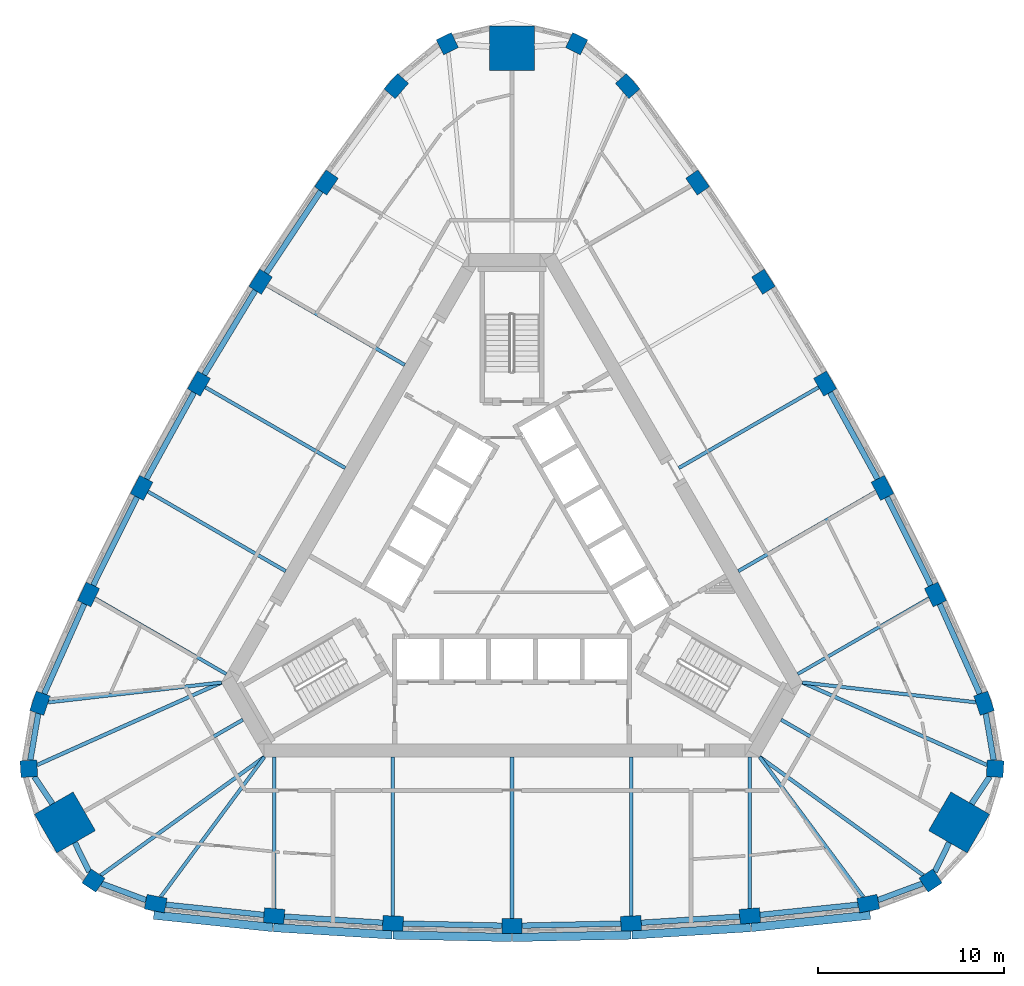
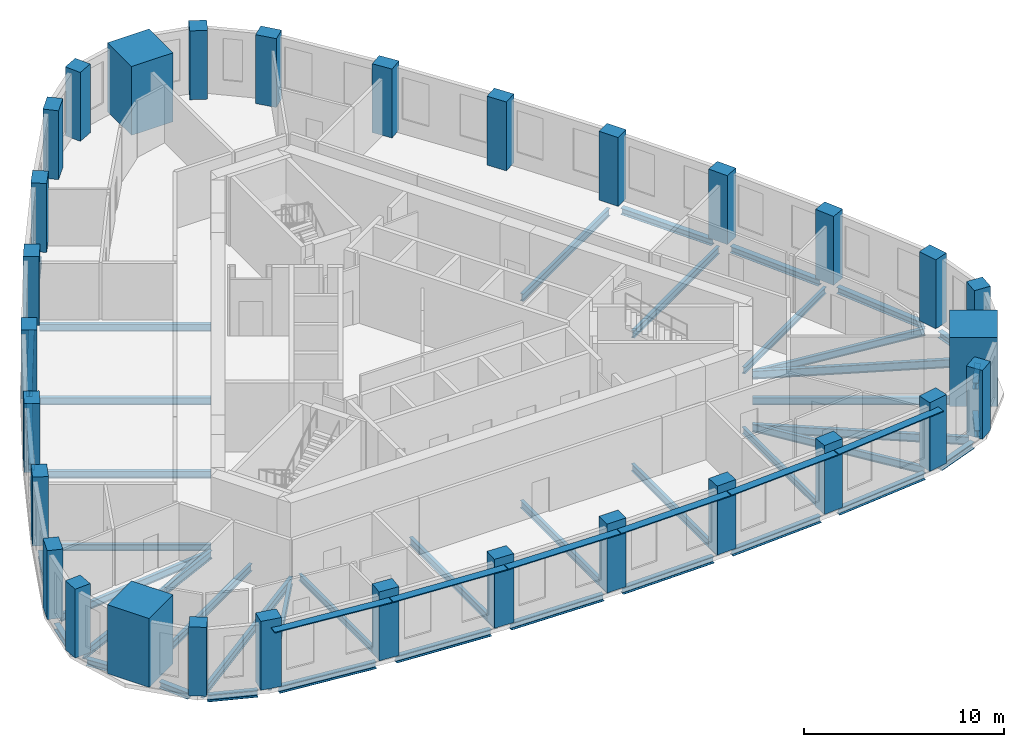
# One storey, part 1 of 10: 44 beams, 30 columns, 6 members.
"""IFC4 building model written with IfcOpenShell, lengths in metres."""

from ifc_helpers import new_model, si_unit, direction, frame, origin, origin_2d, place, context, subcontext, project, spatial, rectangle, i_section, extrude, material, material_profile, profile_set, type_object, element, save


model = new_model("IFC4")

# Units and contexts
model_context = context("Model", 3, precision=1e-05, world=origin(), true_north=direction((0.0, 1.0)))
body_context = subcontext(model_context, "Body", "Model", "MODEL_VIEW")
ifc_project = project(units=[si_unit("LENGTHUNIT", "METRE"), si_unit("AREAUNIT", "SQUARE_METRE"), si_unit("VOLUMEUNIT", "CUBIC_METRE"), si_unit("PLANEANGLEUNIT", "RADIAN"), si_unit("MASSUNIT", "GRAM", prefix="KILO")], contexts=[model_context])

# Site, building, storey
site_placement = place(None, origin())
site = spatial("IfcSite", under=ifc_project, at=site_placement, CompositionType="ELEMENT")
building_placement = place(site_placement, origin())
building = spatial("IfcBuilding", under=site, at=building_placement, Name="Mestral Congress Tower", CompositionType="ELEMENT")
storey_placement = place(building_placement, frame((0.0, 0.0, 243.60009765625)))
storey = spatial("IfcBuildingStorey", under=building, at=storey_placement, Name="L57", CompositionType="ELEMENT", Elevation=243.60009765625)

# Columns
ifc_material_1 = material(Name="Concrete C60/75", Category="concrete")
ifc_material_profile_1 = material_profile(ifc_material_1, rectangle(XDim=1.10009765625, YDim=0.800048828125, at=origin_2d()), Name="RC 1100x800")
ifc_profile_set_1 = profile_set([ifc_material_profile_1], Name="Concrete C60/75")
column_type_1 = type_object("IfcColumnType", Name="Column RC 1100x800 C60/75", PredefinedType="COLUMN", material=ifc_profile_set_1)
for number, where, z_axis, x_axis, name in (
    (1, (-19.150390625, -18.23681640625, 0.0), (0.0, 0.0, 1.0), (0.981324571854, -0.192359259395, 0.0), "COL-L57-C4-S00"),
    (2, (-12.785400390625, -18.899658203125, 0.0), (0.0, 0.0, 1.0), (0.996556680667, -0.082914306473, 0.0), "COL-L57-C4-S01"),
    (3, (-6.398193359375, -19.2978515625, 0.0), (0.0, 0.0, 1.0), (0.999138835542, -0.041492015025, 0.0), "COL-L57-C4-S02"),
    (4, (0.0, -19.4306640625, 0.0), (0.0, 0.0, 1.0), (1.0, 0.0, 0.0), "COL-L57-C4-S03"),
    (5, (6.398193359375, -19.2978515625, 0.0), (0.0, 0.0, 1.0), (0.999138835542, 0.041492015025, 0.0), "COL-L57-C4-S04"),
    (6, (12.785400390625, -18.899658203125, 0.0), (0.0, 0.0, 1.0), (0.996556680667, 0.082914306473, 0.0), "COL-L57-C4-S05"),
    (7, (19.150390625, -18.23681640625, 0.0), (0.0, 0.0, 1.0), (0.981324571854, 0.192359259395, 0.0), "COL-L57-C4-S06"),
    (8, (25.368896484375, -7.46630859375, 0.0), (0.0, 0.0, 1.0), (-0.324074280638, 0.946031638281, 0.0), "COL-L57-C4-E00"),
    (9, (22.76025390625, -1.62255859375, 0.0), (0.0, 0.0, 1.0), (-0.426472444591, 0.904500555005, 0.0), "COL-L57-C4-E01"),
    (10, (19.91162109375, 4.10791015625, 0.0), (0.0, 0.0, 1.0), (-0.463636278705, 0.886025621, 0.0), "COL-L57-C4-E02"),
    (11, (16.827392578125, 9.71533203125, 0.0), (0.0, 0.0, 1.0), (-0.5, 0.866025403784, 0.0), "COL-L57-C4-E03"),
    (12, (13.51318359375, 15.18994140625, 0.0), (0.0, 0.0, 1.0), (-0.535502556837, 0.844533605975, 0.0), "COL-L57-C4-E04"),
    (13, (9.974853515625, 20.522216796875, 0.0), (0.0, 0.0, 1.0), (-0.570084236076, 0.821586248532, 0.0), "COL-L57-C4-E05"),
    (14, (6.218505859375, 25.703125, 0.0), (0.0, 0.0, 1.0), (-0.657250291216, 0.753672378886, 0.0), "COL-L57-C4-E06"),
    (15, (-6.218505859375, 25.703125, 0.0), (0.0, 0.0, 1.0), (-0.657250291216, -0.753672378886, 0.0), "COL-L57-C4-W00"),
    (16, (-9.974853515625, 20.522216796875, 0.0), (0.0, 0.0, 1.0), (-0.570084236076, -0.821586248532, 0.0), "COL-L57-C4-W01"),
    (17, (-13.51318359375, 15.18994140625, 0.0), (0.0, 0.0, 1.0), (-0.535502556837, -0.844533605975, 0.0), "COL-L57-C4-W02"),
    (18, (-16.827392578125, 9.71533203125, 0.0), (0.0, 0.0, 1.0), (-0.5, -0.866025403784, 0.0), "COL-L57-C4-W03"),
    (19, (-19.91162109375, 4.10791015625, 0.0), (0.0, 0.0, 1.0), (-0.463636278705, -0.886025621, 0.0), "COL-L57-C4-W04"),
    (20, (-22.76025390625, -1.62255859375, 0.0), (0.0, 0.0, 1.0), (-0.426472444591, -0.904500555005, 0.0), "COL-L57-C4-W05"),
    (21, (-25.368896484375, -7.46630859375, 0.0), (0.0, 0.0, 1.0), (-0.324074280638, -0.946031638281, 0.0), "COL-L57-C4-W06"),
):
    element("IfcColumn", number, at=place(storey_placement, frame(where, z_axis=z_axis, x_axis=x_axis)), inside=storey, type_object=column_type_1, Name=name, PredefinedType="COLUMN", context=body_context, shape_type="SweptSolid", body=[
        extrude(rectangle(XDim=1.10009765625, YDim=0.800048828125, at=origin_2d()), origin(), (0.0, 0.0, 1.0), 4.199951171875),
    ])
ifc_material_profile_2 = material_profile(ifc_material_1, rectangle(XDim=0.89990234375, YDim=0.89990234375, at=origin_2d()), Name="RC 900x900")
ifc_profile_set_2 = profile_set([ifc_material_profile_2], Name="Concrete C60/75")
column_type_2 = type_object("IfcColumnType", Name="Column RC 900x900 C60/75", PredefinedType="COLUMN", material=ifc_profile_set_2)
for number, where, z_axis, x_axis, name in (
    (22, (22.494384765625, -16.99658203125, 0.0), (0.0, 0.0, 1.0), (0.833238868178, 0.552913183563, 0.0), "COL-L57-C4-SE1"),
    (23, (25.966552734375, -10.982421875, 0.0), (0.0, 0.0, 1.0), (0.062217428964, 0.998062619044, 0.0), "COL-L57-C4-SE3"),
    (24, (3.47216796875, 27.97900390625, 0.0), (0.0, 0.0, 1.0), (-0.895456297142, 0.445149435481, 0.0), "COL-L57-C4-N1"),
    (25, (-3.47216796875, 27.97900390625, 0.0), (0.0, 0.0, 1.0), (-0.895456297142, -0.445149435481, 0.0), "COL-L57-C4-N3"),
    (26, (-25.966552734375, -10.982421875, 0.0), (0.0, 0.0, 1.0), (0.062217428964, -0.998062619044, 0.0), "COL-L57-C4-SW1"),
    (27, (-22.494384765625, -16.99658203125, 0.0), (0.0, 0.0, 1.0), (0.833238868178, -0.552913183563, 0.0), "COL-L57-C4-SW3"),
):
    element("IfcColumn", number, at=place(storey_placement, frame(where, z_axis=z_axis, x_axis=x_axis)), inside=storey, type_object=column_type_2, Name=name, PredefinedType="COLUMN", context=body_context, shape_type="SweptSolid", body=[
        extrude(rectangle(XDim=0.89990234375, YDim=0.89990234375, at=origin_2d()), origin(), (0.0, 0.0, 1.0), 4.199951171875),
    ])
ifc_material_2 = material(Name="Concrete C70/85", Category="concrete")
ifc_material_profile_3 = material_profile(ifc_material_2, rectangle(XDim=2.39990234375, YDim=2.39990234375, at=origin_2d()), Name="RC 2400x2400")
ifc_profile_set_3 = profile_set([ifc_material_profile_3], Name="Concrete C70/85")
column_type_3 = type_object("IfcColumnType", Name="Mega column RC 2400x2400 C70/85", PredefinedType="COLUMN", material=ifc_profile_set_3)
for number, where, z_axis, x_axis, name in (
    (28, (24.02734375, -13.872314453125, 0.0), (0.0, 0.0, 1.0), (0.866025403784, -0.5, 0.0), "COL-L57-PY4-SE"),
    (29, (0.0, 27.744384765625, 0.0), (0.0, 0.0, 1.0), (0.0, 1.0, 0.0), "COL-L57-PY4-N"),
    (30, (-24.02734375, -13.872314453125, 0.0), (0.0, 0.0, 1.0), (-0.866025403784, -0.5, 0.0), "COL-L57-PY4-SW"),
):
    element("IfcColumn", number, at=place(storey_placement, frame(where, z_axis=z_axis, x_axis=x_axis)), inside=storey, type_object=column_type_3, Name=name, PredefinedType="COLUMN", context=body_context, shape_type="SweptSolid", body=[
        extrude(rectangle(XDim=2.39990234375, YDim=2.39990234375, at=origin_2d()), origin(), (0.0, 0.0, 1.0), 4.199951171875),
    ])

# Members
ifc_material_3 = material(Name="Glazed ceramic", Category="masonry")
ifc_material_profile_4 = material_profile(ifc_material_3, rectangle(XDim=0.449951171875, YDim=0.06005859375, at=origin_2d()), Name="Ceramic blade 450 x 60")
ifc_profile_set_4 = profile_set([ifc_material_profile_4], Name="Glazed ceramic")
member_type = type_object("IfcMemberType", Name="Facade sunshade blade 450 x 60", PredefinedType="USERDEFINED", material=ifc_profile_set_4)
member_1_placement = place(storey_placement, frame((-19.251708984375, -18.8544921875, 3.679931640625), z_axis=(0.994617919471, -0.103610782581, 0.0), x_axis=(0.103610782581, 0.994617919471, 0.0)))
element("IfcMember", 31, at=member_1_placement, inside=storey, type_object=member_type, Name="Sunshade F0-00", ObjectType="SUNSHADE", PredefinedType="USERDEFINED", context=body_context, shape_type="SweptSolid", body=[
    extrude(rectangle(XDim=0.449951171875, YDim=0.06005859375, at=origin_2d()), origin(), (0.0, 0.0, 1.0), 6.42578125),
])
member_2_placement = place(storey_placement, frame((-12.8134765625, -19.524169921875, 3.679931640625), z_axis=(0.99806373271, -0.062199561482, 0.0), x_axis=(0.062199561482, 0.99806373271, 0.0)))
element("IfcMember", 32, at=member_2_placement, inside=storey, type_object=member_type, Name="Sunshade F0-01", ObjectType="SUNSHADE", PredefinedType="USERDEFINED", context=body_context, shape_type="SweptSolid", body=[
    extrude(rectangle(XDim=0.449951171875, YDim=0.06005859375, at=origin_2d()), origin(), (0.0, 0.0, 1.0), 6.37841796875),
])
for number, where, z_axis, x_axis, name in (
    (33, (-6.400390625, -19.9228515625, 3.679931640625), (0.99978476383, -0.0207467109, 0.0), (0.0207467109, 0.99978476383, 0.0), "Sunshade F0-02"),
    (34, (0.023681640625, -20.05517578125, 3.679931640625), (0.99978476383, 0.0207467109, 0.0), (-0.0207467109, 0.99978476383, 0.0), "Sunshade F0-03"),
):
    element("IfcMember", number, at=place(storey_placement, frame(where, z_axis=z_axis, x_axis=x_axis)), inside=storey, type_object=member_type, Name=name, ObjectType="SUNSHADE", PredefinedType="USERDEFINED", context=body_context, shape_type="SweptSolid", body=[
        extrude(rectangle(XDim=0.449951171875, YDim=0.06005859375, at=origin_2d()), origin(), (0.0, 0.0, 1.0), 6.378173828125),
    ])
member_3_placement = place(storey_placement, frame((6.447509765625, -19.9208984375, 3.679931640625), z_axis=(0.99806373271, 0.062199561482, 0.0), x_axis=(-0.062199561482, 0.99806373271, 0.0)))
element("IfcMember", 35, at=member_3_placement, inside=storey, type_object=member_type, Name="Sunshade F0-04", ObjectType="SUNSHADE", PredefinedType="USERDEFINED", context=body_context, shape_type="SweptSolid", body=[
    extrude(rectangle(XDim=0.449951171875, YDim=0.06005859375, at=origin_2d()), origin(), (0.0, 0.0, 1.0), 6.37841796875),
])
member_4_placement = place(storey_placement, frame((12.860595703125, -19.520263671875, 3.679931640625), z_axis=(0.994617919471, 0.103610782581, 0.0), x_axis=(-0.103610782581, 0.994617919471, 0.0)))
element("IfcMember", 36, at=member_4_placement, inside=storey, type_object=member_type, Name="Sunshade F0-05", ObjectType="SUNSHADE", PredefinedType="USERDEFINED", context=body_context, shape_type="SweptSolid", body=[
    extrude(rectangle(XDim=0.449951171875, YDim=0.06005859375, at=origin_2d()), origin(), (0.0, 0.0, 1.0), 6.42578125),
])

# Beams
ifc_material_4 = material(Name="Steel S355", Category="steel")
ifc_material_profile_5 = material_profile(ifc_material_4, i_section(OverallWidth=0.179931640625, OverallDepth=0.39990234375, WebThickness=0.008544921875, FlangeThickness=0.013427734375, FilletRadius=0.02099609375, at=origin_2d()), Name="IPE 400")
ifc_profile_set_5 = profile_set([ifc_material_profile_5], Name="Steel S355")
beam_type_1 = type_object("IfcBeamType", Name="Floor beam IPE 400 S355", PredefinedType="BEAM", material=ifc_profile_set_5)
for number, where, z_axis, x_axis, name in (
    (37, (-12.785400390625, -18.498291015625, -0.4501953125), (0.0, 1.0, 0.0), (-1.0, 0.0, 0.0), "BM-L57-RB4-S01"),
    (38, (12.785400390625, -18.498291015625, -0.4501953125), (0.0, 1.0, 0.0), (-1.0, 0.0, 0.0), "BM-L57-RB4-S05"),
):
    element("IfcBeam", number, at=place(storey_placement, frame(where, z_axis=z_axis, x_axis=x_axis)), inside=storey, type_object=beam_type_1, Name=name, PredefinedType="BEAM", context=body_context, shape_type="SweptSolid", body=[
        extrude(i_section(OverallWidth=0.179931640625, OverallDepth=0.39990234375, WebThickness=0.008544921875, FlangeThickness=0.013427734375, FilletRadius=0.02099609375, at=origin_2d()), origin(), (0.0, 0.0, 1.0), 8.148193359375),
    ])
for number, where, z_axis, x_axis, name in (
    (39, (22.41259765625, -1.8232421875, -0.4501953125), (-0.866021929094, -0.500006018292, 0.0), (0.500006018292, -0.866021929094, 0.0), "BM-L57-RB4-E01"),
    (40, (-22.41259765625, -1.8232421875, -0.4501953125), (0.866021929094, -0.500006018292, 0.0), (0.500006018292, 0.866021929094, 0.0), "BM-L57-RB4-W05"),
):
    element("IfcBeam", number, at=place(storey_placement, frame(where, z_axis=z_axis, x_axis=x_axis)), inside=storey, type_object=beam_type_1, Name=name, PredefinedType="BEAM", context=body_context, shape_type="SweptSolid", body=[
        extrude(i_section(OverallWidth=0.179931640625, OverallDepth=0.39990234375, WebThickness=0.008544921875, FlangeThickness=0.013427734375, FilletRadius=0.02099609375, at=origin_2d()), origin(), (0.0, 0.0, 1.0), 8.1484375),
    ])
ifc_material_profile_6 = material_profile(ifc_material_4, i_section(OverallWidth=0.18994140625, OverallDepth=0.449951171875, WebThickness=0.009521484375, FlangeThickness=0.0146484375, FilletRadius=0.02099609375, at=origin_2d()), Name="IPE 450")
ifc_profile_set_6 = profile_set([ifc_material_profile_6], Name="Steel S355")
beam_type_2 = type_object("IfcBeamType", Name="Floor beam IPE 450 S355", PredefinedType="BEAM", material=ifc_profile_set_6)
beam_1_placement = place(storey_placement, frame((-18.88671875, -17.880859375, -0.47509765625), z_axis=(0.595263059859, 0.803530888994, 0.0), x_axis=(-0.803530888994, 0.595263059859, 0.0)))
element("IfcBeam", 41, at=beam_1_placement, inside=storey, type_object=beam_type_2, Name="BM-L57-RB4-S00", PredefinedType="BEAM", context=body_context, shape_type="SweptSolid", body=[
    extrude(i_section(OverallWidth=0.18994140625, OverallDepth=0.449951171875, WebThickness=0.009521484375, FlangeThickness=0.0146484375, FilletRadius=0.02099609375, at=origin_2d()), origin(), (0.0, 0.0, 1.0), 9.3720703125),
])
beam_2_placement = place(storey_placement, frame((-6.398193359375, -18.8974609375, -0.47509765625), z_axis=(0.0, 1.0, 0.0), x_axis=(-1.0, 0.0, 0.0)))
element("IfcBeam", 42, at=beam_2_placement, inside=storey, type_object=beam_type_2, Name="BM-L57-RB4-S02", PredefinedType="BEAM", context=body_context, shape_type="SweptSolid", body=[
    extrude(i_section(OverallWidth=0.18994140625, OverallDepth=0.449951171875, WebThickness=0.009521484375, FlangeThickness=0.0146484375, FilletRadius=0.02099609375, at=origin_2d()), origin(), (0.0, 0.0, 1.0), 8.54736328125),
])
beam_3_placement = place(storey_placement, frame((0.0, -19.030517578125, -0.47509765625), z_axis=(0.0, 1.0, 0.0), x_axis=(-1.0, 0.0, 0.0)))
element("IfcBeam", 43, at=beam_3_placement, inside=storey, type_object=beam_type_2, Name="BM-L57-RB4-S03", PredefinedType="BEAM", context=body_context, shape_type="SweptSolid", body=[
    extrude(i_section(OverallWidth=0.18994140625, OverallDepth=0.449951171875, WebThickness=0.009521484375, FlangeThickness=0.0146484375, FilletRadius=0.02099609375, at=origin_2d()), origin(), (0.0, 0.0, 1.0), 8.680419921875),
])
beam_4_placement = place(storey_placement, frame((6.398193359375, -18.8974609375, -0.47509765625), z_axis=(0.0, 1.0, 0.0), x_axis=(-1.0, 0.0, 0.0)))
element("IfcBeam", 44, at=beam_4_placement, inside=storey, type_object=beam_type_2, Name="BM-L57-RB4-S04", PredefinedType="BEAM", context=body_context, shape_type="SweptSolid", body=[
    extrude(i_section(OverallWidth=0.18994140625, OverallDepth=0.449951171875, WebThickness=0.009521484375, FlangeThickness=0.0146484375, FilletRadius=0.02099609375, at=origin_2d()), origin(), (0.0, 0.0, 1.0), 8.54736328125),
])
beam_5_placement = place(storey_placement, frame((18.88671875, -17.880859375, -0.47509765625), z_axis=(-0.595263059859, 0.803530888994, 0.0), x_axis=(-0.803530888994, -0.595263059859, 0.0)))
element("IfcBeam", 45, at=beam_5_placement, inside=storey, type_object=beam_type_2, Name="BM-L57-RB4-S06", PredefinedType="BEAM", context=body_context, shape_type="SweptSolid", body=[
    extrude(i_section(OverallWidth=0.18994140625, OverallDepth=0.449951171875, WebThickness=0.009521484375, FlangeThickness=0.0146484375, FilletRadius=0.02099609375, at=origin_2d()), origin(), (0.0, 0.0, 1.0), 9.3720703125),
])
beam_6_placement = place(storey_placement, frame((22.98828125, -13.272216796875, -0.47509765625), z_axis=(-0.866021631874, 0.500006533084, 0.0), x_axis=(-0.500006533084, -0.866021631874, 0.0)))
element("IfcBeam", 46, at=beam_6_placement, inside=storey, type_object=beam_type_2, Name="BM-L57-RB4-SE", PredefinedType="BEAM", context=body_context, shape_type="SweptSolid", body=[
    extrude(i_section(OverallWidth=0.18994140625, OverallDepth=0.449951171875, WebThickness=0.009521484375, FlangeThickness=0.0146484375, FilletRadius=0.02099609375, at=origin_2d()), origin(), (0.0, 0.0, 1.0), 9.844482421875),
])
beam_7_placement = place(storey_placement, frame((24.9287109375, -7.416015625, -0.47509765625), z_axis=(-0.99351166529, 0.11373025513, 0.0), x_axis=(-0.11373025513, -0.99351166529, 0.0)))
element("IfcBeam", 47, at=beam_7_placement, inside=storey, type_object=beam_type_2, Name="BM-L57-RB4-E00", PredefinedType="BEAM", context=body_context, shape_type="SweptSolid", body=[
    extrude(i_section(OverallWidth=0.18994140625, OverallDepth=0.449951171875, WebThickness=0.009521484375, FlangeThickness=0.0146484375, FilletRadius=0.02099609375, at=origin_2d()), origin(), (0.0, 0.0, 1.0), 9.372314453125),
])
beam_8_placement = place(storey_placement, frame((19.564697265625, 3.90771484375, -0.47509765625), z_axis=(-0.866028621479, -0.499994426748, 0.0), x_axis=(0.499994426748, -0.866028621479, 0.0)))
element("IfcBeam", 48, at=beam_8_placement, inside=storey, type_object=beam_type_2, Name="BM-L57-RB4-E02", PredefinedType="BEAM", context=body_context, shape_type="SweptSolid", body=[
    extrude(i_section(OverallWidth=0.18994140625, OverallDepth=0.449951171875, WebThickness=0.009521484375, FlangeThickness=0.0146484375, FilletRadius=0.02099609375, at=origin_2d()), origin(), (0.0, 0.0, 1.0), 8.54736328125),
])
beam_9_placement = place(storey_placement, frame((16.48095703125, 9.515380859375, -0.47509765625), z_axis=(-0.866022596503, -0.500004862322, 0.0), x_axis=(0.500004862322, -0.866022596503, 0.0)))
element("IfcBeam", 49, at=beam_9_placement, inside=storey, type_object=beam_type_2, Name="BM-L57-RB4-E03", PredefinedType="BEAM", context=body_context, shape_type="SweptSolid", body=[
    extrude(i_section(OverallWidth=0.18994140625, OverallDepth=0.449951171875, WebThickness=0.009521484375, FlangeThickness=0.0146484375, FilletRadius=0.02099609375, at=origin_2d()), origin(), (0.0, 0.0, 1.0), 8.6806640625),
])
beam_10_placement = place(storey_placement, frame((-13.16650390625, 14.98974609375, -0.47509765625), z_axis=(0.866028621479, -0.499994426748, 0.0), x_axis=(0.499994426748, 0.866028621479, 0.0)))
element("IfcBeam", 50, at=beam_10_placement, inside=storey, type_object=beam_type_2, Name="BM-L57-RB4-W02", PredefinedType="BEAM", context=body_context, shape_type="SweptSolid", body=[
    extrude(i_section(OverallWidth=0.18994140625, OverallDepth=0.449951171875, WebThickness=0.009521484375, FlangeThickness=0.0146484375, FilletRadius=0.02099609375, at=origin_2d()), origin(), (0.0, 0.0, 1.0), 8.54736328125),
])
beam_11_placement = place(storey_placement, frame((-16.48095703125, 9.515380859375, -0.47509765625), z_axis=(0.866022596503, -0.500004862322, 0.0), x_axis=(0.500004862322, 0.866022596503, 0.0)))
element("IfcBeam", 51, at=beam_11_placement, inside=storey, type_object=beam_type_2, Name="BM-L57-RB4-W03", PredefinedType="BEAM", context=body_context, shape_type="SweptSolid", body=[
    extrude(i_section(OverallWidth=0.18994140625, OverallDepth=0.449951171875, WebThickness=0.009521484375, FlangeThickness=0.0146484375, FilletRadius=0.02099609375, at=origin_2d()), origin(), (0.0, 0.0, 1.0), 8.6806640625),
])
beam_12_placement = place(storey_placement, frame((-19.564697265625, 3.90771484375, -0.47509765625), z_axis=(0.866028621479, -0.499994426748, 0.0), x_axis=(0.499994426748, 0.866028621479, 0.0)))
element("IfcBeam", 52, at=beam_12_placement, inside=storey, type_object=beam_type_2, Name="BM-L57-RB4-W04", PredefinedType="BEAM", context=body_context, shape_type="SweptSolid", body=[
    extrude(i_section(OverallWidth=0.18994140625, OverallDepth=0.449951171875, WebThickness=0.009521484375, FlangeThickness=0.0146484375, FilletRadius=0.02099609375, at=origin_2d()), origin(), (0.0, 0.0, 1.0), 8.54736328125),
])
beam_13_placement = place(storey_placement, frame((-24.9287109375, -7.416015625, -0.47509765625), z_axis=(0.99351166529, 0.11373025513, 0.0), x_axis=(-0.11373025513, 0.99351166529, 0.0)))
element("IfcBeam", 53, at=beam_13_placement, inside=storey, type_object=beam_type_2, Name="BM-L57-RB4-W06", PredefinedType="BEAM", context=body_context, shape_type="SweptSolid", body=[
    extrude(i_section(OverallWidth=0.18994140625, OverallDepth=0.449951171875, WebThickness=0.009521484375, FlangeThickness=0.0146484375, FilletRadius=0.02099609375, at=origin_2d()), origin(), (0.0, 0.0, 1.0), 9.372314453125),
])
beam_14_placement = place(storey_placement, frame((-22.98828125, -13.272216796875, -0.47509765625), z_axis=(0.866021631874, 0.500006533084, 0.0), x_axis=(-0.500006533084, 0.866021631874, 0.0)))
element("IfcBeam", 54, at=beam_14_placement, inside=storey, type_object=beam_type_2, Name="BM-L57-RB4-SW", PredefinedType="BEAM", context=body_context, shape_type="SweptSolid", body=[
    extrude(i_section(OverallWidth=0.18994140625, OverallDepth=0.449951171875, WebThickness=0.009521484375, FlangeThickness=0.0146484375, FilletRadius=0.02099609375, at=origin_2d()), origin(), (0.0, 0.0, 1.0), 9.844482421875),
])
ifc_material_profile_7 = material_profile(ifc_material_4, i_section(OverallWidth=0.199951171875, OverallDepth=0.5, WebThickness=0.01025390625, FlangeThickness=0.01611328125, FilletRadius=0.02099609375, at=origin_2d()), Name="IPE 500")
ifc_profile_set_7 = profile_set([ifc_material_profile_7], Name="Steel S355")
beam_type_3 = type_object("IfcBeamType", Name="Floor beam IPE 500 S355", PredefinedType="BEAM", material=ifc_profile_set_7)
beam_15_placement = place(storey_placement, frame((22.10498046875, -16.71484375, -0.5), z_axis=(-0.810186242112, 0.586172545496, 0.0), x_axis=(-0.586172545496, -0.810186242112, 0.0)))
element("IfcBeam", 55, at=beam_15_placement, inside=storey, type_object=beam_type_3, Name="BM-L57-RB4-SE1", PredefinedType="BEAM", context=body_context, shape_type="SweptSolid", body=[
    extrude(i_section(OverallWidth=0.199951171875, OverallDepth=0.5, WebThickness=0.01025390625, FlangeThickness=0.01611328125, FilletRadius=0.02099609375, at=origin_2d()), origin(), (0.0, 0.0, 1.0), 10.858154296875),
])
for number, where, z_axis, x_axis, name in (
    (56, (25.528076171875, -10.7861328125, -0.5), (-0.912742142995, 0.408536143323, 0.0), (-0.408536143323, -0.912742142995, 0.0), "BM-L57-RB4-SE3"),
    (57, (-25.528076171875, -10.7861328125, -0.5), (0.912742142995, 0.408536143323, 0.0), (-0.408536143323, 0.912742142995, 0.0), "BM-L57-RB4-SW1"),
):
    element("IfcBeam", number, at=place(storey_placement, frame(where, z_axis=z_axis, x_axis=x_axis)), inside=storey, type_object=beam_type_3, Name=name, PredefinedType="BEAM", context=body_context, shape_type="SweptSolid", body=[
        extrude(i_section(OverallWidth=0.199951171875, OverallDepth=0.5, WebThickness=0.01025390625, FlangeThickness=0.01611328125, FilletRadius=0.02099609375, at=origin_2d()), origin(), (0.0, 0.0, 1.0), 10.8583984375),
    ])
beam_16_placement = place(storey_placement, frame((-22.10498046875, -16.71484375, -0.5), z_axis=(0.810186242112, 0.586172545496, 0.0), x_axis=(-0.586172545496, 0.810186242112, 0.0)))
element("IfcBeam", 58, at=beam_16_placement, inside=storey, type_object=beam_type_3, Name="BM-L57-RB4-SW3", PredefinedType="BEAM", context=body_context, shape_type="SweptSolid", body=[
    extrude(i_section(OverallWidth=0.199951171875, OverallDepth=0.5, WebThickness=0.01025390625, FlangeThickness=0.01611328125, FilletRadius=0.02099609375, at=origin_2d()), origin(), (0.0, 0.0, 1.0), 10.858154296875),
])
ifc_material_profile_8 = material_profile(ifc_material_4, i_section(OverallWidth=0.300048828125, OverallDepth=0.389892578125, WebThickness=0.010986328125, FlangeThickness=0.01904296875, FilletRadius=0.027099609375, at=origin_2d()), Name="HEA 400")
ifc_profile_set_8 = profile_set([ifc_material_profile_8], Name="Steel S355")
beam_type_4 = type_object("IfcBeamType", Name="Spandrel beam HEA 400 S355", PredefinedType="BEAM", material=ifc_profile_set_8)
beam_17_placement = place(storey_placement, frame((-18.60107421875, -18.2939453125, -0.445068359375), z_axis=(0.994618013093, -0.103609883848, 0.0), x_axis=(0.103609883848, 0.994618013093, 0.0)))
element("IfcBeam", 59, at=beam_17_placement, inside=storey, type_object=beam_type_4, Name="SP-L57-SB4-S00", PredefinedType="BEAM", context=body_context, shape_type="SweptSolid", body=[
    extrude(i_section(OverallWidth=0.300048828125, OverallDepth=0.389892578125, WebThickness=0.010986328125, FlangeThickness=0.01904296875, FilletRadius=0.027099609375, at=origin_2d()), origin(), (0.0, 0.0, 1.0), 5.297119140625),
])
for number, where, z_axis, x_axis, name in (
    (60, (-12.236328125, -18.933837890625, -0.445068359375), (0.998061173507, -0.062240613248, 0.0), (0.062240613248, 0.998061173507, 0.0), "SP-L57-SB4-S01"),
    (61, (-5.84814453125, -19.309326171875, -0.445068359375), (0.999785070758, -0.020731914743, 0.0), (0.020731914743, 0.999785070758, 0.0), "SP-L57-SB4-S02"),
    (62, (0.550048828125, -19.419189453125, -0.445068359375), (0.999785070758, 0.020731914743, 0.0), (-0.020731914743, 0.999785070758, 0.0), "SP-L57-SB4-S03"),
    (63, (6.947265625, -19.263671875, -0.445068359375), (0.998061173507, 0.062240613248, 0.0), (-0.062240613248, 0.998061173507, 0.0), "SP-L57-SB4-S04"),
):
    element("IfcBeam", number, at=place(storey_placement, frame(where, z_axis=z_axis, x_axis=x_axis)), inside=storey, type_object=beam_type_4, Name=name, PredefinedType="BEAM", context=body_context, shape_type="SweptSolid", body=[
        extrude(i_section(OverallWidth=0.300048828125, OverallDepth=0.389892578125, WebThickness=0.010986328125, FlangeThickness=0.01904296875, FilletRadius=0.027099609375, at=origin_2d()), origin(), (0.0, 0.0, 1.0), 5.29931640625),
    ])
beam_18_placement = place(storey_placement, frame((13.33251953125, -18.8427734375, -0.445068359375), z_axis=(0.994618013093, 0.103609883848, 0.0), x_axis=(-0.103609883848, 0.994618013093, 0.0)))
element("IfcBeam", 64, at=beam_18_placement, inside=storey, type_object=beam_type_4, Name="SP-L57-SB4-S05", PredefinedType="BEAM", context=body_context, shape_type="SweptSolid", body=[
    extrude(i_section(OverallWidth=0.300048828125, OverallDepth=0.389892578125, WebThickness=0.010986328125, FlangeThickness=0.01904296875, FilletRadius=0.027099609375, at=origin_2d()), origin(), (0.0, 0.0, 1.0), 5.297119140625),
])
beam_19_placement = place(storey_placement, frame((19.6728515625, -18.04296875, -0.445068359375), z_axis=(0.937591421971, 0.347738875374, 0.0), x_axis=(-0.347738875374, 0.937591421971, 0.0)))
element("IfcBeam", 65, at=beam_19_placement, inside=storey, type_object=beam_type_4, Name="SP-L57-SB4-S06", PredefinedType="BEAM", context=body_context, shape_type="SweptSolid", body=[
    extrude(i_section(OverallWidth=0.300048828125, OverallDepth=0.389892578125, WebThickness=0.010986328125, FlangeThickness=0.01904296875, FilletRadius=0.027099609375, at=origin_2d()), origin(), (0.0, 0.0, 1.0), 2.547119140625),
])
for number, where, z_axis, x_axis, name in (
    (66, (22.723876953125, -16.528564453125, -0.445068359375), (0.440528581483, 0.897738586058, 0.0), (-0.897738586058, 0.440528581483, 0.0), "SP-L57-SB4-SE1"),
    (67, (24.697509765625, -12.87353515625, -0.445068359375), (0.557295931564, 0.830313943435, 0.0), (-0.830313943435, 0.557295931564, 0.0), "SP-L57-SB4-SE"),
):
    element("IfcBeam", number, at=place(storey_placement, frame(where, z_axis=z_axis, x_axis=x_axis)), inside=storey, type_object=beam_type_4, Name=name, PredefinedType="BEAM", context=body_context, shape_type="SweptSolid", body=[
        extrude(i_section(OverallWidth=0.300048828125, OverallDepth=0.389892578125, WebThickness=0.010986328125, FlangeThickness=0.01904296875, FilletRadius=0.027099609375, at=origin_2d()), origin(), (0.0, 0.0, 1.0), 1.75634765625),
    ])
beam_20_placement = place(storey_placement, frame((25.88916015625, -10.52685546875, -0.445068359375), z_axis=(-0.167630891496, 0.98584982843, 0.0), x_axis=(-0.98584982843, -0.167630891496, 0.0)))
element("IfcBeam", 68, at=beam_20_placement, inside=storey, type_object=beam_type_4, Name="SP-L57-SB4-SE3", PredefinedType="BEAM", context=body_context, shape_type="SweptSolid", body=[
    extrude(i_section(OverallWidth=0.300048828125, OverallDepth=0.389892578125, WebThickness=0.010986328125, FlangeThickness=0.01904296875, FilletRadius=0.027099609375, at=origin_2d()), origin(), (0.0, 0.0, 1.0), 2.54736328125),
])
beam_21_placement = place(storey_placement, frame((25.143798828125, -6.9619140625, -0.445068359375), z_axis=(-0.407626134336, 0.913148911518, 0.0), x_axis=(-0.913148911518, -0.407626134336, 0.0)))
element("IfcBeam", 69, at=beam_21_placement, inside=storey, type_object=beam_type_4, Name="SP-L57-SB4-E00", PredefinedType="BEAM", context=body_context, shape_type="SweptSolid", body=[
    extrude(i_section(OverallWidth=0.300048828125, OverallDepth=0.389892578125, WebThickness=0.010986328125, FlangeThickness=0.01904296875, FilletRadius=0.027099609375, at=origin_2d()), origin(), (0.0, 0.0, 1.0), 5.296875),
])
beam_22_placement = place(storey_placement, frame((22.515380859375, -1.1298828125, -0.445068359375), z_axis=(-0.445148375831, 0.895456823914, 0.0), x_axis=(-0.895456823914, -0.445148375831, 0.0)))
element("IfcBeam", 70, at=beam_22_placement, inside=storey, type_object=beam_type_4, Name="SP-L57-SB4-E01", PredefinedType="BEAM", context=body_context, shape_type="SweptSolid", body=[
    extrude(i_section(OverallWidth=0.300048828125, OverallDepth=0.389892578125, WebThickness=0.010986328125, FlangeThickness=0.01904296875, FilletRadius=0.027099609375, at=origin_2d()), origin(), (0.0, 0.0, 1.0), 5.299072265625),
])
beam_23_placement = place(storey_placement, frame((19.646484375, 4.58984375, -0.445068359375), z_axis=(-0.481918749772, 0.876215908677, 0.0), x_axis=(-0.876215908677, -0.481918749772, 0.0)))
element("IfcBeam", 71, at=beam_23_placement, inside=storey, type_object=beam_type_4, Name="SP-L57-SB4-E02", PredefinedType="BEAM", context=body_context, shape_type="SweptSolid", body=[
    extrude(i_section(OverallWidth=0.300048828125, OverallDepth=0.389892578125, WebThickness=0.010986328125, FlangeThickness=0.01904296875, FilletRadius=0.027099609375, at=origin_2d()), origin(), (0.0, 0.0, 1.0), 5.299560546875),
])
for number, where, z_axis, x_axis, name in (
    (72, (-10.279052734375, 20.063720703125, -0.445068359375), (-0.552934106774, -0.833224983762, 0.0), (0.833224983762, -0.552934106774, 0.0), "SP-L57-SB4-W01"),
    (73, (-13.798095703125, 14.71923828125, -0.445068359375), (-0.517865676042, -0.855461946306, 0.0), (0.855461946306, -0.517865676042, 0.0), "SP-L57-SB4-W02"),
):
    element("IfcBeam", number, at=place(storey_placement, frame(where, z_axis=z_axis, x_axis=x_axis)), inside=storey, type_object=beam_type_4, Name=name, PredefinedType="BEAM", context=body_context, shape_type="SweptSolid", body=[
        extrude(i_section(OverallWidth=0.300048828125, OverallDepth=0.389892578125, WebThickness=0.010986328125, FlangeThickness=0.01904296875, FilletRadius=0.027099609375, at=origin_2d()), origin(), (0.0, 0.0, 1.0), 5.29931640625),
    ])
beam_24_placement = place(storey_placement, frame((-17.092529296875, 9.2333984375, -0.445068359375), z_axis=(-0.481918749772, -0.876215908677, 0.0), x_axis=(0.876215908677, -0.481918749772, 0.0)))
element("IfcBeam", 74, at=beam_24_placement, inside=storey, type_object=beam_type_4, Name="SP-L57-SB4-W03", PredefinedType="BEAM", context=body_context, shape_type="SweptSolid", body=[
    extrude(i_section(OverallWidth=0.300048828125, OverallDepth=0.389892578125, WebThickness=0.010986328125, FlangeThickness=0.01904296875, FilletRadius=0.027099609375, at=origin_2d()), origin(), (0.0, 0.0, 1.0), 5.299560546875),
])
beam_25_placement = place(storey_placement, frame((-20.156494140625, 3.615234375, -0.445068359375), z_axis=(-0.445148375831, -0.895456823914, 0.0), x_axis=(0.895456823914, -0.445148375831, 0.0)))
element("IfcBeam", 75, at=beam_25_placement, inside=storey, type_object=beam_type_4, Name="SP-L57-SB4-W04", PredefinedType="BEAM", context=body_context, shape_type="SweptSolid", body=[
    extrude(i_section(OverallWidth=0.300048828125, OverallDepth=0.389892578125, WebThickness=0.010986328125, FlangeThickness=0.01904296875, FilletRadius=0.027099609375, at=origin_2d()), origin(), (0.0, 0.0, 1.0), 5.299072265625),
])
beam_26_placement = place(storey_placement, frame((-22.984619140625, -2.125, -0.445068359375), z_axis=(-0.407626134336, -0.913148911518, 0.0), x_axis=(0.913148911518, -0.407626134336, 0.0)))
element("IfcBeam", 76, at=beam_26_placement, inside=storey, type_object=beam_type_4, Name="SP-L57-SB4-W05", PredefinedType="BEAM", context=body_context, shape_type="SweptSolid", body=[
    extrude(i_section(OverallWidth=0.300048828125, OverallDepth=0.389892578125, WebThickness=0.010986328125, FlangeThickness=0.01904296875, FilletRadius=0.027099609375, at=origin_2d()), origin(), (0.0, 0.0, 1.0), 5.296875),
])
beam_27_placement = place(storey_placement, frame((-25.462158203125, -8.015625, -0.445068359375), z_axis=(-0.167630891496, -0.98584982843, 0.0), x_axis=(0.98584982843, -0.167630891496, 0.0)))
element("IfcBeam", 77, at=beam_27_placement, inside=storey, type_object=beam_type_4, Name="SP-L57-SB4-W06", PredefinedType="BEAM", context=body_context, shape_type="SweptSolid", body=[
    extrude(i_section(OverallWidth=0.300048828125, OverallDepth=0.389892578125, WebThickness=0.010986328125, FlangeThickness=0.01904296875, FilletRadius=0.027099609375, at=origin_2d()), origin(), (0.0, 0.0, 1.0), 2.54736328125),
])
for number, where, z_axis, x_axis, name in (
    (78, (-25.67626953125, -11.415283203125, -0.445068359375), (0.557295931564, -0.830313943435, 0.0), (0.830313943435, 0.557295931564, 0.0), "SP-L57-SB4-SW1"),
    (79, (-23.49755859375, -14.951904296875, -0.445068359375), (0.440528581483, -0.897738586058, 0.0), (0.897738586058, 0.440528581483, 0.0), "SP-L57-SB4-SW"),
):
    element("IfcBeam", number, at=place(storey_placement, frame(where, z_axis=z_axis, x_axis=x_axis)), inside=storey, type_object=beam_type_4, Name=name, PredefinedType="BEAM", context=body_context, shape_type="SweptSolid", body=[
        extrude(i_section(OverallWidth=0.300048828125, OverallDepth=0.389892578125, WebThickness=0.010986328125, FlangeThickness=0.01904296875, FilletRadius=0.027099609375, at=origin_2d()), origin(), (0.0, 0.0, 1.0), 1.75634765625),
    ])
beam_28_placement = place(storey_placement, frame((-22.06103515625, -17.1572265625, -0.445068359375), z_axis=(0.937591421971, -0.347738875374, 0.0), x_axis=(0.347738875374, 0.937591421971, 0.0)))
element("IfcBeam", 80, at=beam_28_placement, inside=storey, type_object=beam_type_4, Name="SP-L57-SB4-SW3", PredefinedType="BEAM", context=body_context, shape_type="SweptSolid", body=[
    extrude(i_section(OverallWidth=0.300048828125, OverallDepth=0.389892578125, WebThickness=0.010986328125, FlangeThickness=0.01904296875, FilletRadius=0.027099609375, at=origin_2d()), origin(), (0.0, 0.0, 1.0), 2.547119140625),
])

save(model, "model.ifc")
